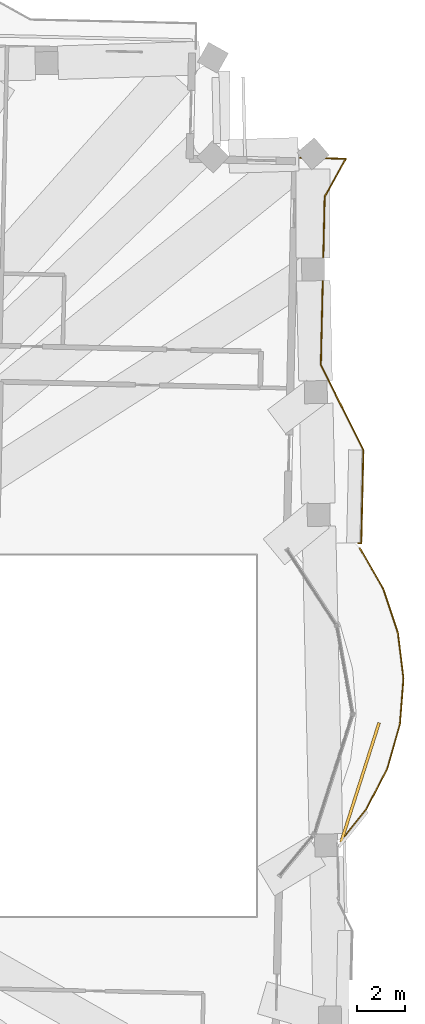
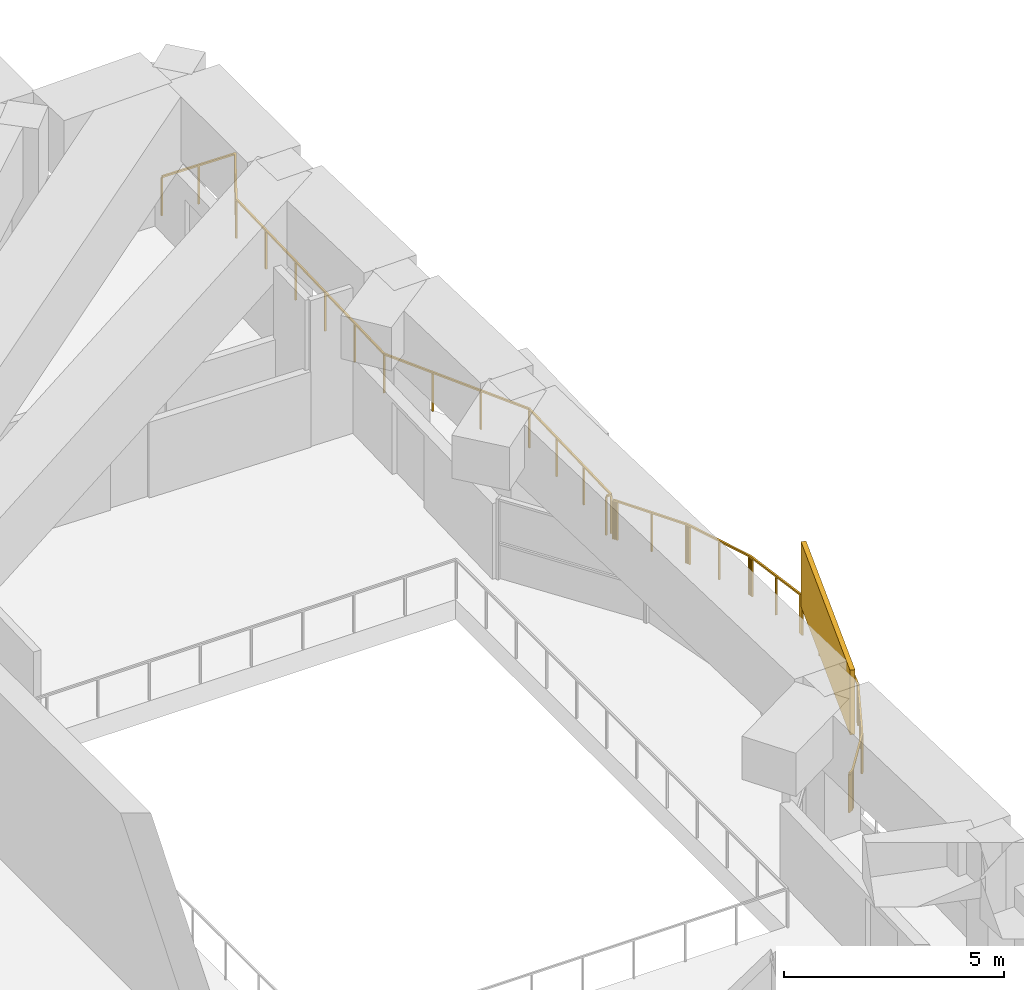
# One storey, part 20 of 20: 2 railings, 1 covering.
"""IFC4 building model written with IfcOpenShell, lengths in metres."""

from ifc_helpers import new_model, si_unit, direction, frame, frame_2d, origin, origin_2d, place, context, subcontext, project, spatial, rectangle, extrude, material, layer, layer_set, type_object, element, save


model = new_model("IFC4")

# Units and contexts
model_context = context("Model", 3, precision=1e-05, world=origin(), true_north=direction((0.0, 1.0)))
body_context = subcontext(model_context, "Body", "Model", "MODEL_VIEW")
ifc_project = project(units=[si_unit("LENGTHUNIT", "METRE"), si_unit("AREAUNIT", "SQUARE_METRE"), si_unit("VOLUMEUNIT", "CUBIC_METRE"), si_unit("PLANEANGLEUNIT", "RADIAN"), si_unit("MASSUNIT", "GRAM", prefix="KILO")], contexts=[model_context])

# Site, building, storey
site_placement = place(None, origin())
site = spatial("IfcSite", under=ifc_project, at=site_placement, CompositionType="ELEMENT")
building_placement = place(site_placement, origin())
building = spatial("IfcBuilding", under=site, at=building_placement, Name="Mangrove Gate Tower", CompositionType="ELEMENT")
storey_placement = place(building_placement, frame((0.0, 0.0, 301.5)))
storey = spatial("IfcBuildingStorey", under=building, at=storey_placement, Name="L77", CompositionType="ELEMENT", Elevation=301.5)

# Railings
ifc_material_1 = material(Name="Stainless steel grade 316 with laminated glass infill", Category="steel")
railing_type = type_object("IfcRailingType", Name="Balcony guard 1100", PredefinedType="GUARDRAIL", material=ifc_material_1)
railing_1_placement = place(storey_placement, frame((32.177978515625, 8.010986328125, 0.0)))
element("IfcRailing", 1, at=railing_1_placement, inside=storey, type_object=railing_type, Name="GUARD L77 E3", PredefinedType="GUARDRAIL", context=body_context, shape_type="SweptSolid", body=[
    extrude(rectangle(XDim=0.048095703125, YDim=0.048095703125, at=origin_2d()), frame((0.0, 0.0, 1.076171875), z_axis=(0.999725454901, -0.023431065349, 0.0), x_axis=(0.023431065349, 0.999725454901, 0.0)), (0.0, 0.0, 1.0), 0.125),
    extrude(rectangle(XDim=0.048095703125, YDim=0.048095703125, at=origin_2d()), frame((0.125, -0.0029296875, 1.076171875), z_axis=(0.022744303924, 0.999741314861, 0.0), x_axis=(-0.999741314861, 0.022744303924, 0.0)), (0.0, 0.0, 1.0), 3.875),
    extrude(rectangle(XDim=0.048095703125, YDim=0.048095703125, at=origin_2d()), frame((0.213134765625, 3.87109375, 1.076171875), z_axis=(-0.447114919141, 0.894476522376, 0.0), x_axis=(-0.894476522376, -0.447114919141, 0.0)), (0.0, 0.0, 1.0), 3.958740234375),
    extrude(rectangle(XDim=0.048095703125, YDim=0.048095703125, at=origin_2d()), frame((-1.556884765625, 7.412109375, 1.076171875), z_axis=(0.022706351659, 0.999742177561, 0.0), x_axis=(-0.999742177561, 0.022706351659, 0.0)), (0.0, 0.0, 1.0), 6.99951171875),
    extrude(rectangle(XDim=0.048095703125, YDim=0.048095703125, at=origin_2d()), frame((-1.39794921875, 14.409912109375, 1.076171875), z_axis=(0.486925774908, 0.87344335233, 0.0), x_axis=(-0.87344335233, 0.486925774908, 0.0)), (0.0, 0.0, 1.0), 1.80908203125),
    extrude(rectangle(XDim=0.048095703125, YDim=0.048095703125, at=origin_2d()), frame((-0.51708984375, 15.989990234375, 1.076171875), z_axis=(-0.999745658203, 0.022552580857, 0.0), x_axis=(-0.022552580857, -0.999745658203, 0.0)), (0.0, 0.0, 1.0), 1.9052734375),
    extrude(rectangle(XDim=0.0419921875, YDim=0.0419921875, at=origin_2d()), origin(), (0.0, 0.0, 1.0), 1.052001953125),
    extrude(rectangle(XDim=0.0419921875, YDim=0.0419921875, at=origin_2d()), frame((0.125, -0.0029296875, 0.0)), (0.0, 0.0, 1.0), 1.052001953125),
    extrude(rectangle(XDim=0.0419921875, YDim=0.0419921875, at=origin_2d()), frame((0.154296875, 1.288330078125, 0.0)), (0.0, 0.0, 1.0), 1.052001953125),
    extrude(rectangle(XDim=0.0419921875, YDim=0.0419921875, at=origin_2d()), frame((0.183837890625, 2.579833984375, 0.0)), (0.0, 0.0, 1.0), 1.052001953125),
    extrude(rectangle(XDim=0.0419921875, YDim=0.0419921875, at=origin_2d()), frame((0.213134765625, 3.87109375, 0.0)), (0.0, 0.0, 1.0), 1.052001953125),
    extrude(rectangle(XDim=0.0419921875, YDim=0.0419921875, at=origin_2d()), frame((-0.376953125, 5.051513671875, 0.0)), (0.0, 0.0, 1.0), 1.052001953125),
    extrude(rectangle(XDim=0.0419921875, YDim=0.0419921875, at=origin_2d()), frame((-0.966796875, 6.231689453125, 0.0)), (0.0, 0.0, 1.0), 1.052001953125),
    extrude(rectangle(XDim=0.0419921875, YDim=0.0419921875, at=origin_2d()), frame((-1.556884765625, 7.412109375, 0.0)), (0.0, 0.0, 1.0), 1.052001953125),
    extrude(rectangle(XDim=0.0419921875, YDim=0.0419921875, at=origin_2d()), frame((-1.525146484375, 8.811767578125, 0.0)), (0.0, 0.0, 1.0), 1.052001953125),
    extrude(rectangle(XDim=0.0419921875, YDim=0.0419921875, at=origin_2d()), frame((-1.493408203125, 10.211181640625, 0.0)), (0.0, 0.0, 1.0), 1.052001953125),
    extrude(rectangle(XDim=0.0419921875, YDim=0.0419921875, at=origin_2d()), frame((-1.46142578125, 11.61083984375, 0.0)), (0.0, 0.0, 1.0), 1.052001953125),
    extrude(rectangle(XDim=0.0419921875, YDim=0.0419921875, at=origin_2d()), frame((-1.4296875, 13.01025390625, 0.0)), (0.0, 0.0, 1.0), 1.052001953125),
    extrude(rectangle(XDim=0.0419921875, YDim=0.0419921875, at=origin_2d()), frame((-1.39794921875, 14.409912109375, 0.0)), (0.0, 0.0, 1.0), 1.052001953125),
    extrude(rectangle(XDim=0.0419921875, YDim=0.0419921875, at=origin_2d()), frame((-0.95751953125, 15.199951171875, 0.0)), (0.0, 0.0, 1.0), 1.052001953125),
    extrude(rectangle(XDim=0.0419921875, YDim=0.0419921875, at=origin_2d()), frame((-0.51708984375, 15.989990234375, 0.0)), (0.0, 0.0, 1.0), 1.052001953125),
    extrude(rectangle(XDim=0.0419921875, YDim=0.0419921875, at=origin_2d()), frame((-1.469482421875, 16.011474609375, 0.0)), (0.0, 0.0, 1.0), 1.052001953125),
    extrude(rectangle(XDim=0.0419921875, YDim=0.0419921875, at=origin_2d()), frame((-2.421875, 16.032958984375, 0.0)), (0.0, 0.0, 1.0), 1.052001953125),
])
railing_2_placement = place(storey_placement, frame((32.23388671875, 7.794921875, 0.0)))
element("IfcRailing", 2, at=railing_2_placement, inside=storey, type_object=railing_type, Name="GUARD L77 T1.1", PredefinedType="GUARDRAIL", context=body_context, shape_type="SweptSolid", body=[
    extrude(rectangle(XDim=0.048095703125, YDim=0.048095703125, at=origin_2d()), frame((0.0, 0.0, 1.076171875), z_axis=(0.624095578411, -0.781348007617, 0.0), x_axis=(0.781348007617, 0.624095578411, 0.0)), (0.0, 0.0, 1.0), 0.049560546875),
    extrude(rectangle(XDim=0.048095703125, YDim=0.048095703125, at=origin_2d()), frame((0.031005859375, -0.038818359375, 1.076171875), z_axis=(0.542238133163, -0.840224854991, 0.0), x_axis=(0.840224854991, 0.542238133163, 0.0)), (0.0, 0.0, 1.0), 0.050048828125),
    extrude(rectangle(XDim=0.048095703125, YDim=0.048095703125, at=origin_2d()), frame((0.05810546875, -0.080810546875, 1.076171875), z_axis=(0.498762115554, -0.866738918065, 0.0), x_axis=(0.866738918065, 0.498762115554, 0.0)), (0.0, 0.0, 1.0), 1.8125),
    extrude(rectangle(XDim=0.048095703125, YDim=0.048095703125, at=origin_2d()), frame((0.962158203125, -1.65185546875, 1.076171875), z_axis=(0.437465718849, -0.899235088746, 0.0), x_axis=(0.899235088746, 0.437465718849, 0.0)), (0.0, 0.0, 1.0), 0.05029296875),
    extrude(rectangle(XDim=0.048095703125, YDim=0.048095703125, at=origin_2d()), frame((0.984130859375, -1.697021484375, 1.076171875), z_axis=(0.366264831108, -0.930510652004, 0.0), x_axis=(0.930510652004, 0.366264831108, 0.0)), (0.0, 0.0, 1.0), 0.04931640625),
    extrude(rectangle(XDim=0.048095703125, YDim=0.048095703125, at=origin_2d()), frame((1.002197265625, -1.742919921875, 1.076171875), z_axis=(0.316712695221, -0.94852151725, 0.0), x_axis=(0.94852151725, 0.316712695221, 0.0)), (0.0, 0.0, 1.0), 1.812255859375),
    extrude(rectangle(XDim=0.048095703125, YDim=0.048095703125, at=origin_2d()), frame((1.576171875, -3.4619140625, 1.076171875), z_axis=(0.277939676271, -0.960598530269, 0.0), x_axis=(0.960598530269, 0.277939676271, 0.0)), (0.0, 0.0, 1.0), 0.050048828125),
    extrude(rectangle(XDim=0.048095703125, YDim=0.048095703125, at=origin_2d()), frame((1.590087890625, -3.510009765625, 1.076171875), z_axis=(0.159688843913, -0.987167398737, 0.0), x_axis=(0.987167398737, 0.159688843913, 0.0)), (0.0, 0.0, 1.0), 0.050537109375),
    extrude(rectangle(XDim=0.048095703125, YDim=0.048095703125, at=origin_2d()), frame((1.59814453125, -3.559814453125, 1.076171875), z_axis=(0.122426666304, -0.992477562153, 0.0), x_axis=(0.992477562153, 0.122426666304, 0.0)), (0.0, 0.0, 1.0), 1.812744140625),
    extrude(rectangle(XDim=0.048095703125, YDim=0.048095703125, at=origin_2d()), frame((1.820068359375, -5.35888671875, 1.076171875), z_axis=(0.059595380047, -0.998222615791, 0.0), x_axis=(0.998222615791, 0.059595380047, 0.0)), (0.0, 0.0, 1.0), 0.049072265625),
    extrude(rectangle(XDim=0.048095703125, YDim=0.048095703125, at=origin_2d()), frame((1.822998046875, -5.407958984375, 1.076171875), z_axis=(-0.019508481785, -0.999809691461, 0.0), x_axis=(0.999809691461, -0.019508481785, 0.0)), (0.0, 0.0, 1.0), 0.050048828125),
    extrude(rectangle(XDim=0.048095703125, YDim=0.048095703125, at=origin_2d()), frame((1.822021484375, -5.4580078125, 1.076171875), z_axis=(-0.077149519663, -0.99701953422, 0.0), x_axis=(0.99701953422, -0.077149519663, 0.0)), (0.0, 0.0, 1.0), 1.813232421875),
    extrude(rectangle(XDim=0.048095703125, YDim=0.048095703125, at=origin_2d()), frame((1.68212890625, -7.265869140625, 1.076171875), z_axis=(-0.123427070371, -0.992353645783, 0.0), x_axis=(0.992353645783, -0.123427070371, 0.0)), (0.0, 0.0, 1.0), 0.049560546875),
    extrude(rectangle(XDim=0.048095703125, YDim=0.048095703125, at=origin_2d()), frame((1.676025390625, -7.31494140625, 1.076171875), z_axis=(-0.218472344851, -0.975843140333, 0.0), x_axis=(0.975843140333, -0.218472344851, 0.0)), (0.0, 0.0, 1.0), 0.05029296875),
    extrude(rectangle(XDim=0.048095703125, YDim=0.048095703125, at=origin_2d()), frame((1.6650390625, -7.364013671875, 1.076171875), z_axis=(-0.273635491135, -0.96183346687, 0.0), x_axis=(0.96183346687, -0.273635491135, 0.0)), (0.0, 0.0, 1.0), 1.81201171875),
    extrude(rectangle(XDim=0.048095703125, YDim=0.048095703125, at=origin_2d()), frame((1.169189453125, -9.10693359375, 1.076171875), z_axis=(-0.317671360445, -0.948200878903, 0.0), x_axis=(0.948200878903, -0.317671360445, 0.0)), (0.0, 0.0, 1.0), 0.05078125),
    extrude(rectangle(XDim=0.048095703125, YDim=0.048095703125, at=origin_2d()), frame((1.153076171875, -9.155029296875, 1.076171875), z_axis=(-0.407059440224, -0.913401670747, 0.0), x_axis=(0.913401670747, -0.407059440224, 0.0)), (0.0, 0.0, 1.0), 0.049072265625),
    extrude(rectangle(XDim=0.048095703125, YDim=0.048095703125, at=origin_2d()), frame((1.133056640625, -9.199951171875, 1.076171875), z_axis=(-0.45843707563, -0.888726869003, 0.0), x_axis=(0.888726869003, -0.45843707563, 0.0)), (0.0, 0.0, 1.0), 1.812744140625),
    extrude(rectangle(XDim=0.048095703125, YDim=0.048095703125, at=origin_2d()), frame((0.302001953125, -10.81103515625, 1.076171875), z_axis=(-0.501423782413, -0.865201820635, 0.0), x_axis=(0.865201820635, -0.501423782413, 0.0)), (0.0, 0.0, 1.0), 0.049560546875),
    extrude(rectangle(XDim=0.048095703125, YDim=0.048095703125, at=origin_2d()), frame((0.277099609375, -10.85400390625, 1.076171875), z_axis=(-0.587291012921, -0.80937584974, 0.0), x_axis=(0.80937584974, -0.587291012921, 0.0)), (0.0, 0.0, 1.0), 0.049560546875),
    extrude(rectangle(XDim=0.048095703125, YDim=0.048095703125, at=origin_2d()), frame((0.248046875, -10.89404296875, 1.076171875), z_axis=(-0.625510200703, -0.780215988568, 0.0), x_axis=(0.780215988568, -0.625510200703, 0.0)), (0.0, 0.0, 1.0), 1.350830078125),
    extrude(rectangle(XDim=0.048095703125, YDim=0.048095703125, at=origin_2d()), frame((-0.596923828125, -11.947998046875, 1.076171875), z_axis=(-0.666506180004, -0.745499505041, 0.0), x_axis=(0.745499505041, -0.666506180004, 0.0)), (0.0, 0.0, 1.0), 0.049560546875),
    extrude(rectangle(XDim=0.048095703125, YDim=0.048095703125, at=origin_2d()), frame((-0.6298828125, -11.98486328125, 1.076171875), z_axis=(-0.735545105159, -0.677475754752, 0.0), x_axis=(0.677475754752, -0.735545105159, 0.0)), (0.0, 0.0, 1.0), 0.050537109375),
    extrude(rectangle(XDim=0.048095703125, YDim=0.048095703125, at=origin_2d()), frame((-0.6669921875, -12.01904296875, 1.076171875), z_axis=(-0.793365367908, -0.608745753992, 0.0), x_axis=(0.608745753992, -0.793365367908, 0.0)), (0.0, 0.0, 1.0), 0.048828125),
    extrude(rectangle(XDim=0.048095703125, YDim=0.048095703125, at=origin_2d()), frame((-0.705810546875, -12.048828125, 1.076171875), z_axis=(-0.854479685712, -0.519484808927, 0.0), x_axis=(0.519484808927, -0.854479685712, 0.0)), (0.0, 0.0, 1.0), 0.05029296875),
    extrude(rectangle(XDim=0.048095703125, YDim=0.048095703125, at=origin_2d()), frame((-0.748779296875, -12.074951171875, 1.076171875), z_axis=(-0.911733943306, -0.410781227204, 0.0), x_axis=(0.410781227204, -0.911733943306, 0.0)), (0.0, 0.0, 1.0), 0.0244140625),
    extrude(rectangle(XDim=0.0419921875, YDim=0.0419921875, at=origin_2d()), origin(), (0.0, 0.0, 1.0), 1.052001953125),
    extrude(rectangle(XDim=0.0419921875, YDim=0.0419921875, at=origin_2d()), frame((0.031005859375, -0.038818359375, 0.0)), (0.0, 0.0, 1.0), 1.052001953125),
    extrude(rectangle(XDim=0.0419921875, YDim=0.0419921875, at=origin_2d()), frame((0.05810546875, -0.080810546875, 0.0)), (0.0, 0.0, 1.0), 1.052001953125),
    extrude(rectangle(XDim=0.0419921875, YDim=0.0419921875, at=origin_2d()), frame((0.51025390625, -0.8662109375, 0.0)), (0.0, 0.0, 1.0), 1.052001953125),
    extrude(rectangle(XDim=0.0419921875, YDim=0.0419921875, at=origin_2d()), frame((0.962158203125, -1.65185546875, 0.0)), (0.0, 0.0, 1.0), 1.052001953125),
    extrude(rectangle(XDim=0.0419921875, YDim=0.0419921875, at=origin_2d()), frame((0.984130859375, -1.697021484375, 0.0)), (0.0, 0.0, 1.0), 1.052001953125),
    extrude(rectangle(XDim=0.0419921875, YDim=0.0419921875, at=origin_2d()), frame((1.002197265625, -1.742919921875, 0.0)), (0.0, 0.0, 1.0), 1.052001953125),
    extrude(rectangle(XDim=0.0419921875, YDim=0.0419921875, at=origin_2d()), frame((1.2890625, -2.6025390625, 0.0)), (0.0, 0.0, 1.0), 1.052001953125),
    extrude(rectangle(XDim=0.0419921875, YDim=0.0419921875, at=origin_2d()), frame((1.576171875, -3.4619140625, 0.0)), (0.0, 0.0, 1.0), 1.052001953125),
    extrude(rectangle(XDim=0.0419921875, YDim=0.0419921875, at=origin_2d()), frame((1.590087890625, -3.510009765625, 0.0)), (0.0, 0.0, 1.0), 1.052001953125),
    extrude(rectangle(XDim=0.0419921875, YDim=0.0419921875, at=origin_2d()), frame((1.59814453125, -3.559814453125, 0.0)), (0.0, 0.0, 1.0), 1.052001953125),
    extrude(rectangle(XDim=0.0419921875, YDim=0.0419921875, at=origin_2d()), frame((1.708984375, -4.45947265625, 0.0)), (0.0, 0.0, 1.0), 1.052001953125),
    extrude(rectangle(XDim=0.0419921875, YDim=0.0419921875, at=origin_2d()), frame((1.820068359375, -5.35888671875, 0.0)), (0.0, 0.0, 1.0), 1.052001953125),
    extrude(rectangle(XDim=0.0419921875, YDim=0.0419921875, at=origin_2d()), frame((1.822998046875, -5.407958984375, 0.0)), (0.0, 0.0, 1.0), 1.052001953125),
    extrude(rectangle(XDim=0.0419921875, YDim=0.0419921875, at=origin_2d()), frame((1.822021484375, -5.4580078125, 0.0)), (0.0, 0.0, 1.0), 1.052001953125),
    extrude(rectangle(XDim=0.0419921875, YDim=0.0419921875, at=origin_2d()), frame((1.751953125, -6.36181640625, 0.0)), (0.0, 0.0, 1.0), 1.052001953125),
    extrude(rectangle(XDim=0.0419921875, YDim=0.0419921875, at=origin_2d()), frame((1.68212890625, -7.265869140625, 0.0)), (0.0, 0.0, 1.0), 1.052001953125),
    extrude(rectangle(XDim=0.0419921875, YDim=0.0419921875, at=origin_2d()), frame((1.676025390625, -7.31494140625, 0.0)), (0.0, 0.0, 1.0), 1.052001953125),
    extrude(rectangle(XDim=0.0419921875, YDim=0.0419921875, at=origin_2d()), frame((1.6650390625, -7.364013671875, 0.0)), (0.0, 0.0, 1.0), 1.052001953125),
    extrude(rectangle(XDim=0.0419921875, YDim=0.0419921875, at=origin_2d()), frame((1.4169921875, -8.2353515625, 0.0)), (0.0, 0.0, 1.0), 1.052001953125),
    extrude(rectangle(XDim=0.0419921875, YDim=0.0419921875, at=origin_2d()), frame((1.169189453125, -9.10693359375, 0.0)), (0.0, 0.0, 1.0), 1.052001953125),
    extrude(rectangle(XDim=0.0419921875, YDim=0.0419921875, at=origin_2d()), frame((1.153076171875, -9.155029296875, 0.0)), (0.0, 0.0, 1.0), 1.052001953125),
    extrude(rectangle(XDim=0.0419921875, YDim=0.0419921875, at=origin_2d()), frame((1.133056640625, -9.199951171875, 0.0)), (0.0, 0.0, 1.0), 1.052001953125),
    extrude(rectangle(XDim=0.0419921875, YDim=0.0419921875, at=origin_2d()), frame((0.717529296875, -10.00537109375, 0.0)), (0.0, 0.0, 1.0), 1.052001953125),
    extrude(rectangle(XDim=0.0419921875, YDim=0.0419921875, at=origin_2d()), frame((0.302001953125, -10.81103515625, 0.0)), (0.0, 0.0, 1.0), 1.052001953125),
    extrude(rectangle(XDim=0.0419921875, YDim=0.0419921875, at=origin_2d()), frame((0.277099609375, -10.85400390625, 0.0)), (0.0, 0.0, 1.0), 1.052001953125),
    extrude(rectangle(XDim=0.0419921875, YDim=0.0419921875, at=origin_2d()), frame((0.248046875, -10.89404296875, 0.0)), (0.0, 0.0, 1.0), 1.052001953125),
    extrude(rectangle(XDim=0.0419921875, YDim=0.0419921875, at=origin_2d()), frame((-0.596923828125, -11.947998046875, 0.0)), (0.0, 0.0, 1.0), 1.052001953125),
    extrude(rectangle(XDim=0.0419921875, YDim=0.0419921875, at=origin_2d()), frame((-0.6298828125, -11.98486328125, 0.0)), (0.0, 0.0, 1.0), 1.052001953125),
    extrude(rectangle(XDim=0.0419921875, YDim=0.0419921875, at=origin_2d()), frame((-0.6669921875, -12.01904296875, 0.0)), (0.0, 0.0, 1.0), 1.052001953125),
    extrude(rectangle(XDim=0.0419921875, YDim=0.0419921875, at=origin_2d()), frame((-0.705810546875, -12.048828125, 0.0)), (0.0, 0.0, 1.0), 1.052001953125),
    extrude(rectangle(XDim=0.0419921875, YDim=0.0419921875, at=origin_2d()), frame((-0.748779296875, -12.074951171875, 0.0)), (0.0, 0.0, 1.0), 1.052001953125),
    extrude(rectangle(XDim=0.0419921875, YDim=0.0419921875, at=origin_2d()), frame((-0.77099609375, -12.0849609375, 0.0)), (0.0, 0.0, 1.0), 1.052001953125),
])

# Covering
ifc_material_2 = material(Name="Limestone", Category="masonry")
ifc_layer_1 = layer(ifc_material_2, 0.0400390625, Name="Limestone cladding")
ifc_material_3 = material(Name="Stainless steel anchors and cavity", Category="steel")
ifc_layer_2 = layer(ifc_material_3, 0.080078125, Name="Fixing cavity")
ifc_layer_set = layer_set([ifc_layer_1, ifc_layer_2], Name="Joint fascia cladding 120")
covering_type = type_object("IfcCoveringType", Name="Joint fascia cladding 120", PredefinedType="CLADDING", material=ifc_layer_set)
covering_placement = place(storey_placement, frame((31.458984375, -4.44189453125, 2.25), z_axis=(0.0, 0.0, 1.0), x_axis=(0.303670280054, 0.952777183297, 0.0)))
element("IfcCovering", 3, at=covering_placement, inside=storey, type_object=covering_type, Name="STONE FASCIA L77 E1p2.L1", PredefinedType="CLADDING", context=body_context, shape_type="SweptSolid", body=[
    extrude(rectangle(XDim=5.225830078125, YDim=0.1201171875, at=frame_2d((2.61279296875, 0.0))), origin(), (0.0, 0.0, 1.0), 1.800048828125),
])

save(model, "model.ifc")
